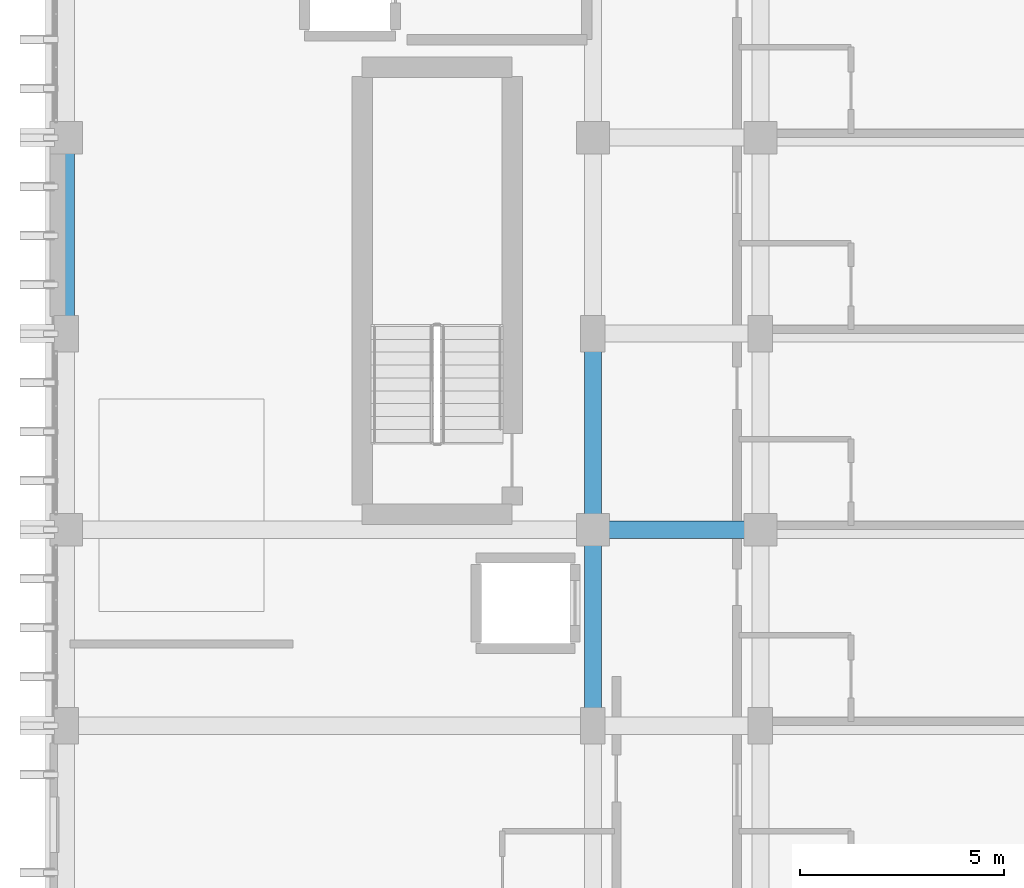
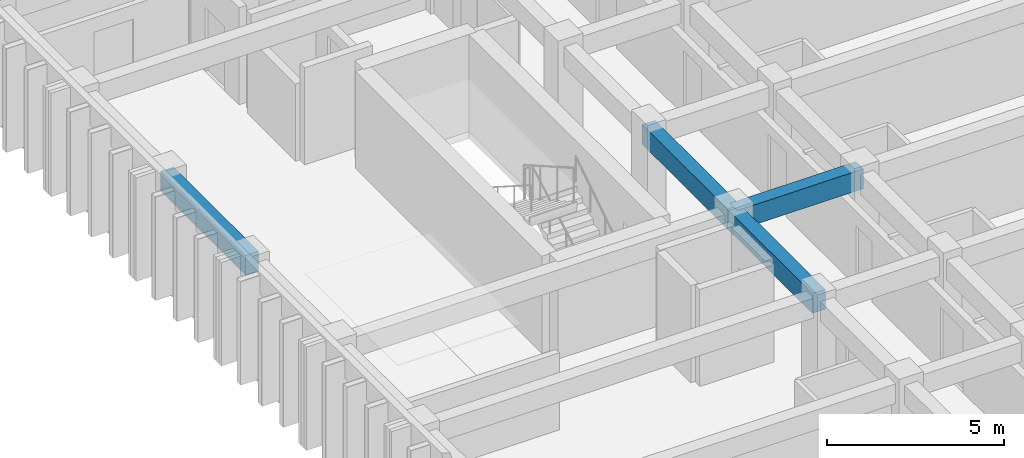
# One storey, part 30 of 82: 4 beams.
"""IFC4 building model written with IfcOpenShell, lengths in metres."""

from ifc_helpers import new_model, si_unit, direction, frame, origin, origin_2d, place, context, subcontext, project, spatial, rectangle, extrude, material, material_profile, profile_set, type_object, element, save


model = new_model("IFC4")

# Units and contexts
model_context = context("Model", 3, precision=1e-05, world=origin(), true_north=direction((0.0, 1.0)))
body_context = subcontext(model_context, "Body", "Model", "MODEL_VIEW")
ifc_project = project(units=[si_unit("LENGTHUNIT", "METRE"), si_unit("AREAUNIT", "SQUARE_METRE"), si_unit("VOLUMEUNIT", "CUBIC_METRE"), si_unit("PLANEANGLEUNIT", "RADIAN"), si_unit("MASSUNIT", "GRAM", prefix="KILO")], contexts=[model_context])

# Site, building, storey
site_placement = place(None, origin())
site = spatial("IfcSite", under=ifc_project, at=site_placement, CompositionType="ELEMENT")
building_placement = place(site_placement, origin())
building = spatial("IfcBuilding", under=site, at=building_placement, Name="Nakhvara Creek Congress Hotel", CompositionType="ELEMENT")
storey_placement = place(building_placement, frame((0.0, 0.0, 21.0)))
storey = spatial("IfcBuildingStorey", under=building, at=storey_placement, Name="L04", CompositionType="ELEMENT", Elevation=21.0)

# Beams
ifc_material = material(Name="Concrete C40/50", Category="concrete")
ifc_material_profile = material_profile(ifc_material, rectangle(XDim=0.419921875, YDim=0.679931640625, at=origin_2d()), Name="RC-BM 420x680", Category="LoadBearing")
ifc_profile_set = profile_set([ifc_material_profile], Name="Concrete C40/50")
beam_type = type_object("IfcBeamType", Name="BM-RC-420X680", PredefinedType="BEAM", material=ifc_profile_set)
beam_1_placement = place(storey_placement, frame((149.449951171875, 81.60009765625, 3.0), z_axis=(0.0, 1.0, 0.0), x_axis=(-1.0, 0.0, 0.0)))
element("IfcBeam", 1, at=beam_1_placement, inside=storey, type_object=beam_type, Name="Beam B11-L04-1929", PredefinedType="BEAM", context=body_context, shape_type="SweptSolid", body=[
    extrude(rectangle(XDim=0.419921875, YDim=0.679931640625, at=origin_2d()), origin(), (0.0, 0.0, 1.0), 4.7998046875),
])
beam_2_placement = place(storey_placement, frame((162.35009765625, 76.800048828125, 3.0), z_axis=(1.0, 0.0, 0.0), x_axis=(0.0, 1.0, 0.0)))
element("IfcBeam", 2, at=beam_2_placement, inside=storey, type_object=beam_type, Name="Beam B11-L04-1958", PredefinedType="BEAM", context=body_context, shape_type="SweptSolid", body=[
    extrude(rectangle(XDim=0.419921875, YDim=0.679931640625, at=origin_2d()), origin(), (0.0, 0.0, 1.0), 4.099853515625),
])
for number, where, z_axis, x_axis, name in (
    (3, (162.35009765625, 72.0, 3.0), (0.0, 1.0, 0.0), (-1.0, 0.0, 0.0), "Beam B11-L04-1959"),
    (4, (162.35009765625, 76.800048828125, 3.0), (0.0, 1.0, 0.0), (-1.0, 0.0, 0.0), "Beam B11-L04-1960"),
):
    element("IfcBeam", number, at=place(storey_placement, frame(where, z_axis=z_axis, x_axis=x_axis)), inside=storey, type_object=beam_type, Name=name, PredefinedType="BEAM", context=body_context, shape_type="SweptSolid", body=[
        extrude(rectangle(XDim=0.419921875, YDim=0.679931640625, at=origin_2d()), origin(), (0.0, 0.0, 1.0), 4.800048828125),
    ])

save(model, "model.ifc")
